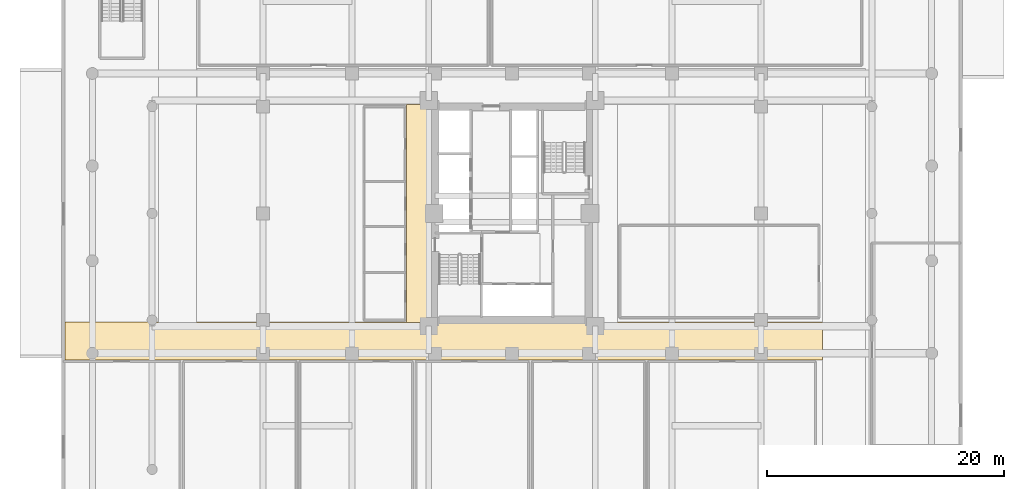
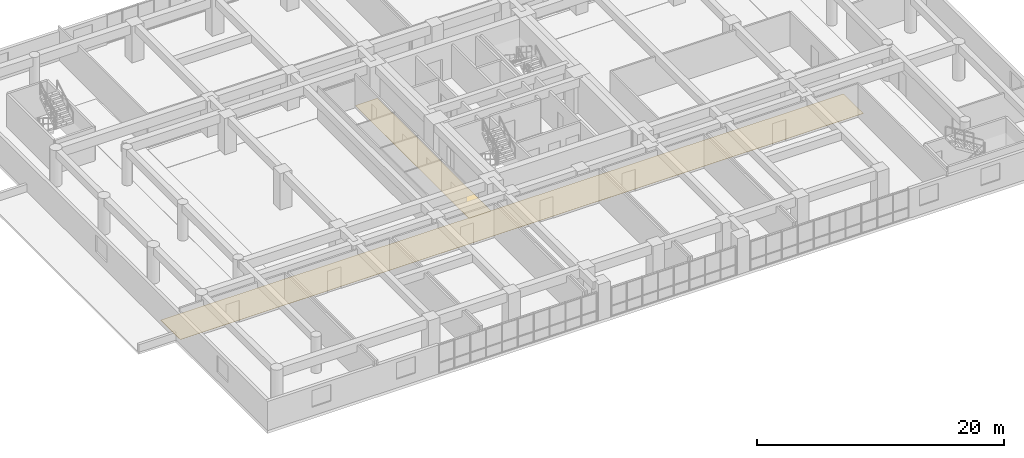
# One storey, part 22 of 27: 2 coverings.
"""IFC4 building model written with IfcOpenShell, lengths in metres."""

from ifc_helpers import new_model, si_unit, direction, frame, origin, place, context, subcontext, project, spatial, polyline, outline, extrude, material, layer, layer_set, type_object, element, save


model = new_model("IFC4")

# Units and contexts
model_context = context("Model", 3, precision=1e-05, world=origin(), true_north=direction((0.0, 1.0)))
body_context = subcontext(model_context, "Body", "Model", "MODEL_VIEW")
ifc_project = project(units=[si_unit("LENGTHUNIT", "METRE"), si_unit("AREAUNIT", "SQUARE_METRE"), si_unit("VOLUMEUNIT", "CUBIC_METRE"), si_unit("PLANEANGLEUNIT", "RADIAN"), si_unit("MASSUNIT", "GRAM", prefix="KILO")], contexts=[model_context])

# Site, building, storey
site_placement = place(None, origin())
site = spatial("IfcSite", under=ifc_project, at=site_placement, CompositionType="ELEMENT")
building_placement = place(site_placement, origin())
building = spatial("IfcBuilding", under=site, at=building_placement, Name="Saelheon Loggia Tower", CompositionType="ELEMENT")
storey_placement = place(building_placement, frame((0.0, 0.0, 4.199951171875)))
storey = spatial("IfcBuildingStorey", under=building, at=storey_placement, Name="L01", CompositionType="ELEMENT", Elevation=4.199951171875)

# Coverings
ifc_material = material(Name="Vitrified Porcelain Floor Tile", Category="ceramic")
ifc_layer = layer(ifc_material, 0.02001953125)
ifc_layer_set = layer_set([ifc_layer], Name="Vitrified Porcelain Floor Tile")
covering_type = type_object("IfcCoveringType", Name="Cov_Floor_Porcelain", PredefinedType="FLOORING", material=ifc_layer_set)
covering_1_placement = place(storey_placement, origin())
element("IfcCovering", 1, at=covering_1_placement, inside=storey, type_object=covering_type, Name="L01 Corridor Porcelain Flooring", PredefinedType="FLOORING", context=body_context, shape_type="SweptSolid", body=[
    extrude(outline(polyline([(0.300048828125, 14.64990234375), (64.179931640625, 14.64990234375), (64.179931640625, 17.85009765625), (0.300048828125, 17.85009765625), (0.300048828125, 14.64990234375)])), origin(), (0.0, 0.0, 1.0), 0.02001953125),
])
covering_2_placement = place(storey_placement, origin())
element("IfcCovering", 2, at=covering_2_placement, inside=storey, type_object=covering_type, Name="L01 Corridor Porcelain Flooring", PredefinedType="FLOORING", context=body_context, shape_type="SweptSolid", body=[
    extrude(outline(polyline([(29.10009765625, 17.800048828125), (31.179931640625, 17.800048828125), (31.179931640625, 36.199951171875), (29.10009765625, 36.199951171875), (29.10009765625, 17.800048828125)])), origin(), (0.0, 0.0, 1.0), 0.02001953125),
])

save(model, "model.ifc")
